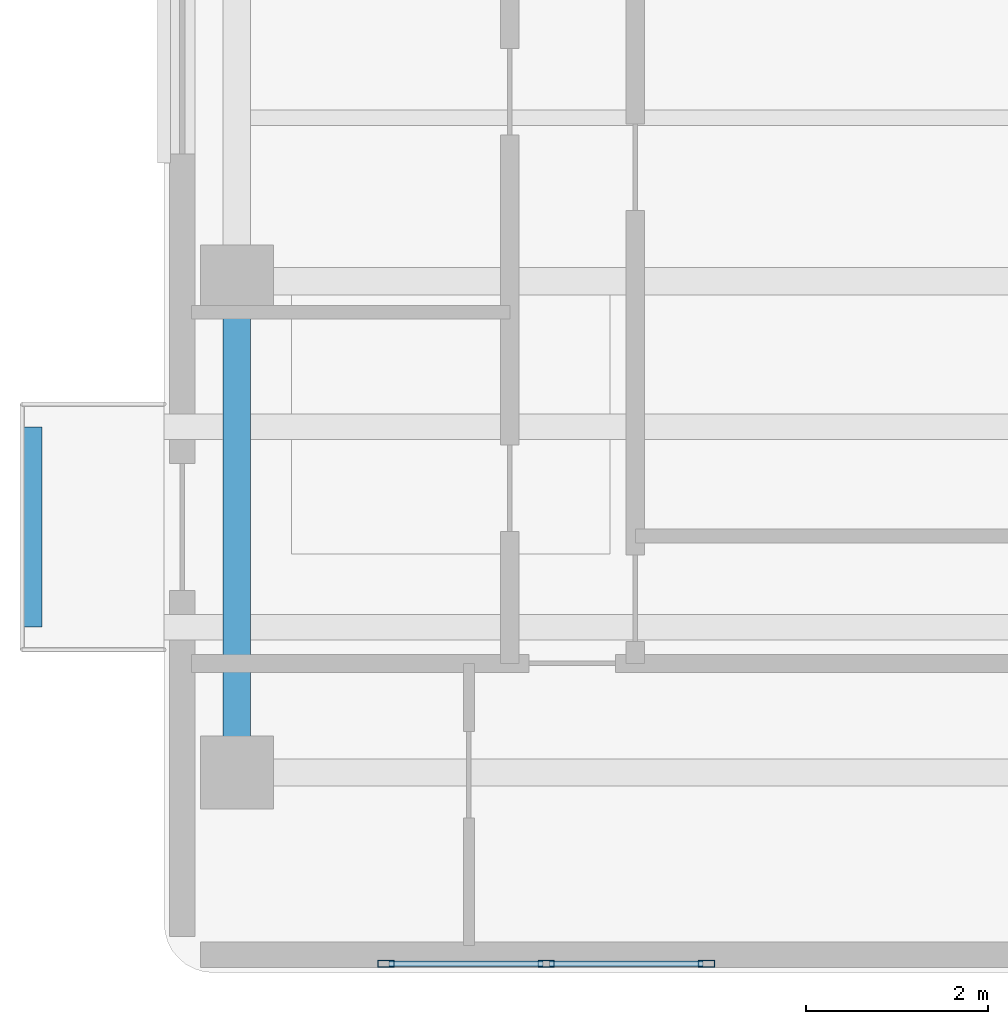
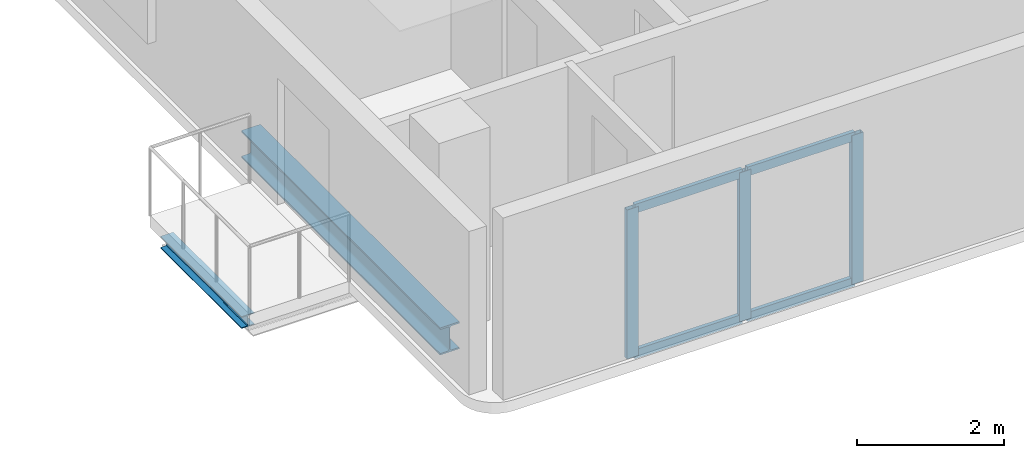
# One storey, part 2 of 11: 7 members, 2 beams, 1 element without a shape of its own.
"""IFC4 building model written with IfcOpenShell, lengths in metres."""

from ifc_helpers import new_model, si_unit, direction, frame, origin, origin_2d, place, context, subcontext, project, spatial, hollow_rectangle, i_section, extrude, material, material_profile, profile_set, type_object, element, aggregate, save


model = new_model("IFC4")

# Units and contexts
model_context = context("Model", 3, precision=1e-05, world=origin(), true_north=direction((0.0, 1.0)))
body_context = subcontext(model_context, "Body", "Model", "MODEL_VIEW")
ifc_project = project(units=[si_unit("LENGTHUNIT", "METRE"), si_unit("AREAUNIT", "SQUARE_METRE"), si_unit("VOLUMEUNIT", "CUBIC_METRE"), si_unit("PLANEANGLEUNIT", "RADIAN"), si_unit("MASSUNIT", "GRAM", prefix="KILO")], contexts=[model_context])

# Site, building, storey
site_placement = place(None, origin())
site = spatial("IfcSite", under=ifc_project, at=site_placement, CompositionType="ELEMENT")
building_placement = place(site_placement, origin())
building = spatial("IfcBuilding", under=site, at=building_placement, Name="Kuzgunbayir Cultural Tower", CompositionType="ELEMENT")
storey_placement = place(building_placement, frame((0.0, 0.0, 244.0)))
storey = spatial("IfcBuildingStorey", under=building, at=storey_placement, Name="L72", CompositionType="ELEMENT", Elevation=244.0)

# Beams
ifc_material_1 = material(Name="Steel S355J2", Category="steel")
ifc_material_profile_1 = material_profile(ifc_material_1, i_section(OverallWidth=0.199951171875, OverallDepth=0.199951171875, WebThickness=0.009033203125, FlangeThickness=0.014892578125, FilletRadius=0.01806640625, at=origin_2d()), Name="HEB 200")
ifc_profile_set_1 = profile_set([ifc_material_profile_1], Name="Steel S355J2")
beam_type_1 = type_object("IfcBeamType", Name="BM-CAN-HEB200", PredefinedType="BEAM", material=ifc_profile_set_1)
beam_1_placement = place(storey_placement, frame((3.159912109375, 14.199951171875, -0.300048828125), z_axis=(0.0, 1.0, 0.0), x_axis=(-1.0, 0.0, 0.0)))
element("IfcBeam", 1, at=beam_1_placement, inside=storey, type_object=beam_type_1, Name="L72 Balcony Edge Header BAL-L72-WA1", PredefinedType="BEAM", context=body_context, shape_type="SweptSolid", body=[
    extrude(i_section(OverallWidth=0.199951171875, OverallDepth=0.199951171875, WebThickness=0.009033203125, FlangeThickness=0.014892578125, FilletRadius=0.01806640625, at=origin_2d()), origin(), (0.0, 0.0, 1.0), 2.199951171875),
])
ifc_material_profile_2 = material_profile(ifc_material_1, i_section(OverallWidth=0.300048828125, OverallDepth=0.449951171875, WebThickness=0.013916015625, FlangeThickness=0.02587890625, FilletRadius=0.027099609375, at=origin_2d()), Name="HEB 450")
ifc_profile_set_2 = profile_set([ifc_material_profile_2], Name="Steel S355J2")
beam_type_2 = type_object("IfcBeamType", Name="BM-EXT-HEB450", PredefinedType="BEAM", material=ifc_profile_set_2)
beam_2_placement = place(storey_placement, frame((5.39990234375, 12.60009765625, -0.409912109375), z_axis=(0.0, 1.0, 0.0), x_axis=(-1.0, 0.0, 0.0)))
element("IfcBeam", 2, at=beam_2_placement, inside=storey, type_object=beam_type_2, Name="L72 Wing A West Girder 1", PredefinedType="BEAM", context=body_context, shape_type="SweptSolid", body=[
    extrude(i_section(OverallWidth=0.300048828125, OverallDepth=0.449951171875, WebThickness=0.013916015625, FlangeThickness=0.02587890625, FilletRadius=0.027099609375, at=origin_2d()), origin(), (0.0, 0.0, 1.0), 5.39990234375),
])

# Curtain wall, members
ifc_material_2 = material(Name="Anodised Aluminium Framing", Category="aluminium")
curtain_wall_type = type_object("IfcCurtainWallType", Name="CW06-OBSERVATORY", PredefinedType="NOTDEFINED", material=ifc_material_2)
curtain_wall_placement = place(storey_placement, origin())
curtain_wall = element("IfcCurtainWall", 3, at=curtain_wall_placement, inside=storey, type_object=curtain_wall_type, Name="L72 Crown Observatory South Curtain Wall", PredefinedType="NOTDEFINED")
ifc_material_profile_3 = material_profile(ifc_material_2, hollow_rectangle(XDim=0.074951171875, YDim=0.179931640625, WallThickness=0.0048828125, at=origin_2d()), Name="RHS 180x75x5")
ifc_profile_set_3 = profile_set([ifc_material_profile_3], Name="Anodised Aluminium Framing")
member_type_1 = type_object("IfcMemberType", Name="MEM-CW-MULLION-180", PredefinedType="MULLION", material=ifc_profile_set_3)
member_1_placement = place(storey_placement, frame((7.03759765625, 10.5, 0.0), z_axis=(0.0, 0.0, 1.0), x_axis=(0.0, 1.0, 0.0)))
member_1 = element("IfcMember", 4, at=member_1_placement, type_object=member_type_1, Name="CW06 mullion 1", PredefinedType="MULLION", context=body_context, shape_type="SweptSolid", body=[
    extrude(hollow_rectangle(XDim=0.074951171875, YDim=0.179931640625, WallThickness=0.0048828125, at=origin_2d()), origin(), (0.0, 0.0, 1.0), 2.469970703125),
])
member_2_placement = place(storey_placement, frame((8.800048828125, 10.5, 0.0), z_axis=(0.0, 0.0, 1.0), x_axis=(0.0, 1.0, 0.0)))
member_2 = element("IfcMember", 5, at=member_2_placement, type_object=member_type_1, Name="CW06 mullion 2", PredefinedType="MULLION", context=body_context, shape_type="SweptSolid", body=[
    extrude(hollow_rectangle(XDim=0.074951171875, YDim=0.179931640625, WallThickness=0.0048828125, at=origin_2d()), origin(), (0.0, 0.0, 1.0), 2.469970703125),
])
member_3_placement = place(storey_placement, frame((10.5625, 10.5, 0.0), z_axis=(0.0, 0.0, 1.0), x_axis=(0.0, 1.0, 0.0)))
member_3 = element("IfcMember", 6, at=member_3_placement, type_object=member_type_1, Name="CW06 mullion 3", PredefinedType="MULLION", context=body_context, shape_type="SweptSolid", body=[
    extrude(hollow_rectangle(XDim=0.074951171875, YDim=0.179931640625, WallThickness=0.0048828125, at=origin_2d()), origin(), (0.0, 0.0, 1.0), 2.469970703125),
])
ifc_material_profile_4 = material_profile(ifc_material_2, hollow_rectangle(XDim=0.06005859375, YDim=0.14990234375, WallThickness=0.00390625, at=origin_2d()), Name="RHS 150x60x4")
ifc_profile_set_4 = profile_set([ifc_material_profile_4], Name="Anodised Aluminium Framing")
member_type_2 = type_object("IfcMemberType", Name="MEM-CW-TRANSOM-150", PredefinedType="USERDEFINED", material=ifc_profile_set_4)
member_4_placement = place(storey_placement, frame((7.074951171875, 10.5, 0.030029296875), z_axis=(1.0, 0.0, 0.0), x_axis=(0.0, 1.0, 0.0)))
member_4 = element("IfcMember", 7, at=member_4_placement, type_object=member_type_2, Name="CW06 transom 1.1", ObjectType="TRANSOM", PredefinedType="USERDEFINED", context=body_context, shape_type="SweptSolid", body=[
    extrude(hollow_rectangle(XDim=0.06005859375, YDim=0.14990234375, WallThickness=0.00390625, at=origin_2d()), origin(), (0.0, 0.0, 1.0), 1.6875),
])
member_5_placement = place(storey_placement, frame((7.074951171875, 10.5, 2.43994140625), z_axis=(1.0, 0.0, 0.0), x_axis=(0.0, 1.0, 0.0)))
member_5 = element("IfcMember", 8, at=member_5_placement, type_object=member_type_2, Name="CW06 transom 1.2", ObjectType="TRANSOM", PredefinedType="USERDEFINED", context=body_context, shape_type="SweptSolid", body=[
    extrude(hollow_rectangle(XDim=0.06005859375, YDim=0.14990234375, WallThickness=0.00390625, at=origin_2d()), origin(), (0.0, 0.0, 1.0), 1.6875),
])
member_6_placement = place(storey_placement, frame((8.83740234375, 10.5, 0.030029296875), z_axis=(1.0, 0.0, 0.0), x_axis=(0.0, 1.0, 0.0)))
member_6 = element("IfcMember", 9, at=member_6_placement, type_object=member_type_2, Name="CW06 transom 2.1", ObjectType="TRANSOM", PredefinedType="USERDEFINED", context=body_context, shape_type="SweptSolid", body=[
    extrude(hollow_rectangle(XDim=0.06005859375, YDim=0.14990234375, WallThickness=0.00390625, at=origin_2d()), origin(), (0.0, 0.0, 1.0), 1.6875),
])
member_7_placement = place(storey_placement, frame((8.83740234375, 10.5, 2.43994140625), z_axis=(1.0, 0.0, 0.0), x_axis=(0.0, 1.0, 0.0)))
member_7 = element("IfcMember", 10, at=member_7_placement, type_object=member_type_2, Name="CW06 transom 2.2", ObjectType="TRANSOM", PredefinedType="USERDEFINED", context=body_context, shape_type="SweptSolid", body=[
    extrude(hollow_rectangle(XDim=0.06005859375, YDim=0.14990234375, WallThickness=0.00390625, at=origin_2d()), origin(), (0.0, 0.0, 1.0), 1.6875),
])
aggregate(curtain_wall, [member_1, member_2, member_3, member_4, member_5, member_6, member_7])

save(model, "model.ifc")
